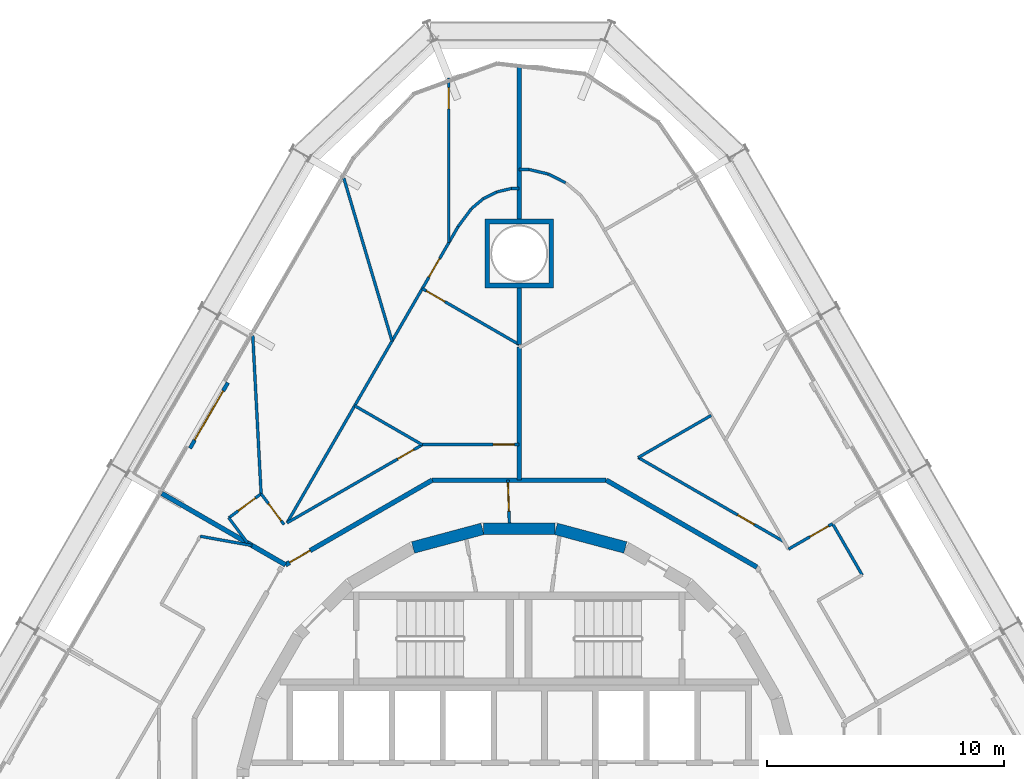
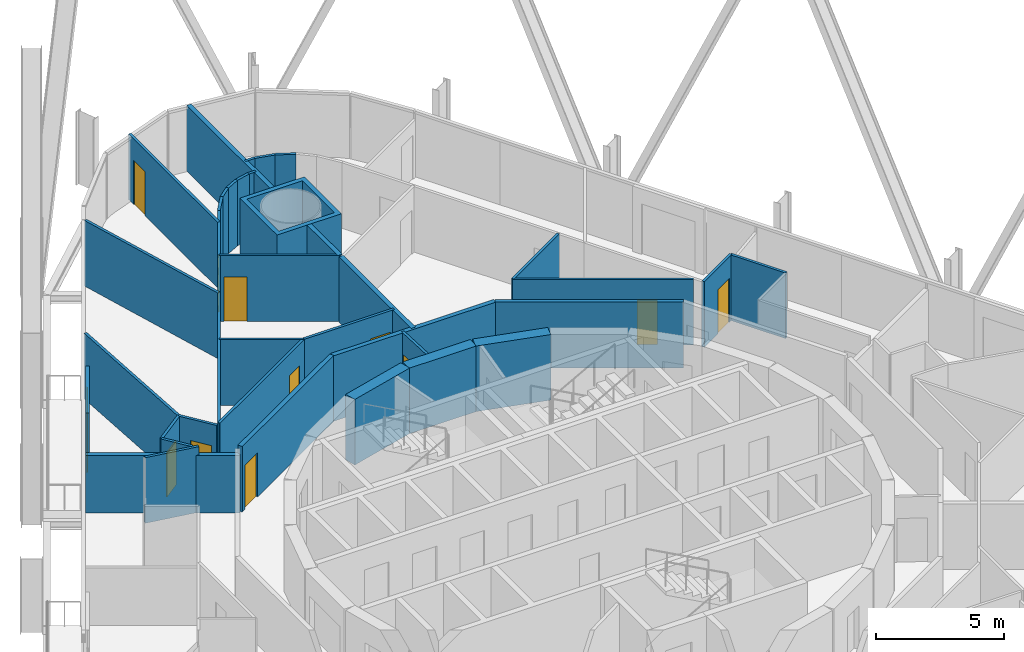
# One storey, part 20 of 22: 37 walls, 12 doors, 12 openings.
"""IFC4 building model written with IfcOpenShell, lengths in metres."""

from ifc_helpers import new_model, si_unit, direction, frame, frame_2d, origin, place, context, subcontext, project, spatial, polyline, rectangle, outline, extrude, material, layer, layer_set, type_object, element, fill, save


model = new_model("IFC4")

# Units and contexts
model_context = context("Model", 3, precision=1e-05, world=origin(), true_north=direction((0.0, 1.0)))
body_context = subcontext(model_context, "Body", "Model", "MODEL_VIEW")
ifc_project = project(units=[si_unit("LENGTHUNIT", "METRE"), si_unit("AREAUNIT", "SQUARE_METRE"), si_unit("VOLUMEUNIT", "CUBIC_METRE"), si_unit("PLANEANGLEUNIT", "RADIAN"), si_unit("MASSUNIT", "GRAM", prefix="KILO")], contexts=[model_context])

# Site, building, storey
site_placement = place(None, origin())
site = spatial("IfcSite", under=ifc_project, at=site_placement, CompositionType="ELEMENT")
building_placement = place(site_placement, origin())
building = spatial("IfcBuilding", under=site, at=building_placement, Name="Spindle Arch Residences", CompositionType="ELEMENT")
storey_placement = place(building_placement, frame((0.0, 0.0, 52.39990234375)))
storey = spatial("IfcBuildingStorey", under=building, at=storey_placement, Name="L11", CompositionType="ELEMENT", Elevation=52.39990234375)

# Walls
ifc_material_1 = material(Name="Concrete C50/60", Category="concrete")
ifc_layer_1 = layer(ifc_material_1, 0.5)
ifc_layer_set_1 = layer_set([ifc_layer_1], Name="Core outline wall 500")
wall_type_1 = type_object("IfcWallType", Name="Core outline wall 500", PredefinedType="SHEAR", material=ifc_layer_set_1)
for number, where, z_axis, x_axis, name in (
    (1, (4.479248046875, 10.858154296875, 0.0), (0.0, 0.0, 1.0), (-0.965948410781, 0.258734743916, 0.0), "Core outline wall 11"),
    (2, (1.516357421875, 11.647216796875, 0.0), (0.0, 0.0, 1.0), (-1.0, 0.0, 0.0), "Core outline wall 12"),
    (3, (-1.5498046875, 11.642822265625, 0.0), (0.0, 0.0, 1.0), (-0.965948410781, -0.258734743916, 0.0), "Core outline wall 13"),
):
    element("IfcWall", number, at=place(storey_placement, frame(where, z_axis=z_axis, x_axis=x_axis)), inside=storey, type_object=wall_type_1, Name=name, PredefinedType="SHEAR", context=body_context, shape_type="SweptSolid", body=[
        extrude(rectangle(XDim=3.03271484375, YDim=0.5, at=frame_2d((1.516357421875, 0.0))), origin(), (0.0, 0.0, 1.0), 3.1201171875),
    ])

# Wall, opening, door
ifc_material_2 = material(Name="Plasterboard on steel studs", Category="steel")
ifc_layer_2 = layer(ifc_material_2, 0.1201171875)
ifc_layer_set_2 = layer_set([ifc_layer_2], Name="Corridor division wall 120")
wall_type_2 = type_object("IfcWallType", Name="Corridor division wall 120", PredefinedType="PARTITIONING", material=ifc_layer_set_2)
wall_1_placement = place(storey_placement, frame((-0.478515625, 13.699951171875, 0.0), z_axis=(0.0, 0.0, 1.0), x_axis=(0.034919103017, -0.999390142159, 0.0)))
wall_1 = element("IfcWall", 4, at=wall_1_placement, inside=storey, type_object=wall_type_2, Name="Corridor division wall R1B0-W001", PredefinedType="PARTITIONING", context=body_context, shape_type="SweptSolid", body=[
    extrude(rectangle(XDim=1.803955078125, YDim=0.1201171875, at=frame_2d((0.90185546875, 0.0))), origin(), (0.0, 0.0, 1.0), 3.1201171875),
])
opening_1_placement = place(wall_1_placement, frame((0.110107421875, 0.0, 0.0)))
opening_1 = element("IfcOpeningElement", 5, at=opening_1_placement, cuts=wall_1, Name="Opening R1B0-CD01", PredefinedType="OPENING", context=body_context, shape_type="SweptSolid", body=[
    extrude(rectangle(XDim=1.199951171875, YDim=2.10009765625, at=frame_2d((0.60009765625, 1.050048828125))), frame((0.0, 0.070068359375, 0.0), z_axis=(0.0, -1.0, 0.0), x_axis=(1.0, 0.0, 0.0)), (0.0, 0.0, 1.0), 0.14013671875),
])
ifc_material_3 = material(Name="Steel, fire-resisting door", Category="steel")
door_type_1 = type_object("IfcDoorType", Name="Corridor division door 1200x2100", OperationType="NOTDEFINED", PredefinedType="DOOR", material=ifc_material_3)
door_1_placement = place(opening_1_placement, origin())
door_1 = element("IfcDoor", 6, at=door_1_placement, inside=storey, type_object=door_type_1, Name="Corridor division door R1B0-CD01", OperationType="DOUBLE_DOOR_SINGLE_SWING", OverallHeight=2.10009765625, OverallWidth=1.199951171875, PredefinedType="DOOR", context=body_context, shape_type="SweptSolid", body=[
    extrude(rectangle(XDim=1.199951171875, YDim=2.10009765625, at=frame_2d((0.60009765625, 1.050048828125))), frame((0.0, 0.02490234375, 0.0), z_axis=(0.0, -1.0, 0.0), x_axis=(1.0, 0.0, 0.0)), (0.0, 0.0, 1.0), 0.050048828125),
])
fill(opening_1, door_1)

# Walls
ifc_material_4 = material(Name="Calcium silicate block, plastered")
ifc_layer_3 = layer(ifc_material_4, 0.199951171875)
ifc_layer_set_3 = layer_set([ifc_layer_3], Name="Corridor wall 200")
wall_type_3 = type_object("IfcWallType", Name="Corridor wall 200", PredefinedType="STANDARD", material=ifc_layer_set_3)
for number, where, z_axis, x_axis, name in (
    (7, (10.029052734375, 10.029052734375, 0.0), (0.0, 0.0, 1.0), (-0.866024439905, 0.500001669485, 0.0), "Corridor wall R1B0-W005"),
    (8, (3.6708984375, 13.699951171875, 0.0), (0.0, 0.0, 1.0), (-1.0, 0.0, 0.0), "Corridor wall R1B0-W006"),
):
    element("IfcWall", number, at=place(storey_placement, frame(where, z_axis=z_axis, x_axis=x_axis)), inside=storey, type_object=wall_type_3, Name=name, PredefinedType="STANDARD", context=body_context, shape_type="SweptSolid", body=[
        extrude(rectangle(XDim=7.341796875, YDim=0.199951171875, at=frame_2d((3.6708984375, 0.0))), origin(), (0.0, 0.0, 1.0), 3.1201171875),
    ])

# Wall, opening, door
wall_2_placement = place(storey_placement, frame((-3.6708984375, 13.699951171875, 0.0), z_axis=(0.0, 0.0, 1.0), x_axis=(-0.866031419417, -0.499989580474, 0.0)))
wall_2 = element("IfcWall", 9, at=wall_2_placement, inside=storey, type_object=wall_type_3, Name="Corridor wall R1B0-W009", PredefinedType="STANDARD", context=body_context, shape_type="SweptSolid", body=[
    extrude(rectangle(XDim=7.146728515625, YDim=0.199951171875, at=frame_2d((3.5732421875, 0.0))), origin(), (0.0, 0.0, 1.0), 3.1201171875),
])
opening_2_placement = place(wall_2_placement, frame((5.946533203125, 0.0, 0.0)))
opening_2 = element("IfcOpeningElement", 10, at=opening_2_placement, cuts=wall_2, Name="Opening R1B0-FD02", PredefinedType="OPENING", context=body_context, shape_type="SweptSolid", body=[
    extrude(rectangle(XDim=1.0, YDim=2.10009765625, at=frame_2d((0.5, 1.050048828125))), frame((0.0, 0.10986328125, 0.0), z_axis=(0.0, -1.0, 0.0), x_axis=(1.0, 0.0, 0.0)), (0.0, 0.0, 1.0), 0.219970703125),
])
ifc_material_5 = material(Name="Timber, fire-resisting door set", Category="wood")
door_type_2 = type_object("IfcDoorType", Name="Flat entrance door 1000x2100", OperationType="NOTDEFINED", PredefinedType="DOOR", material=ifc_material_5)
door_2_placement = place(opening_2_placement, origin())
door_2 = element("IfcDoor", 11, at=door_2_placement, inside=storey, type_object=door_type_2, Name="Flat entrance door R1B0-FD02", OperationType="SINGLE_SWING_LEFT", OverallHeight=2.10009765625, OverallWidth=1.0, PredefinedType="DOOR", context=body_context, shape_type="SweptSolid", body=[
    extrude(rectangle(XDim=1.0, YDim=2.10009765625, at=frame_2d((0.5, 1.050048828125))), frame((0.0, 0.02490234375, 0.0), z_axis=(0.0, -1.0, 0.0), x_axis=(1.0, 0.0, 0.0)), (0.0, 0.0, 1.0), 0.050048828125),
])
fill(opening_2, door_2)

# Wall
ifc_material_6 = material(Name="Plasterboard on steel studs", Category="steel")
ifc_layer_4 = layer(ifc_material_6, 0.1201171875)
ifc_layer_set_4 = layer_set([ifc_layer_4], Name="Flat partition 120")
wall_type_4 = type_object("IfcWallType", Name="Flat partition 120", PredefinedType="PARTITIONING", material=ifc_layer_set_4)
wall_3_placement = place(storey_placement, frame((14.470703125, 9.697021484375, 0.0), z_axis=(0.0, 0.0, 1.0), x_axis=(-0.500004234368, 0.866022959057, 0.0)))
element("IfcWall", 12, at=wall_3_placement, inside=storey, type_object=wall_type_4, Name="Flat partition R1B0-W031", PredefinedType="PARTITIONING", context=body_context, shape_type="SweptSolid", body=[
    extrude(rectangle(XDim=2.5, YDim=0.1201171875, at=frame_2d((1.25, 0.0))), origin(), (0.0, 0.0, 1.0), 3.1201171875),
])

# Wall, opening, door
wall_4_placement = place(storey_placement, frame((13.220703125, 11.862060546875, 0.0), z_axis=(0.0, 0.0, 1.0), x_axis=(-0.866055151781, -0.499948471418, 0.0)))
wall_4 = element("IfcWall", 13, at=wall_4_placement, inside=storey, type_object=wall_type_4, Name="Flat partition R1B0-W032", PredefinedType="PARTITIONING", context=body_context, shape_type="SweptSolid", body=[
    extrude(rectangle(XDim=2.150634765625, YDim=0.1201171875, at=frame_2d((1.0751953125, 0.0))), origin(), (0.0, 0.0, 1.0), 3.1201171875),
])
opening_3_placement = place(wall_4_placement, frame((0.199951171875, 0.0, 0.0)))
opening_3 = element("IfcOpeningElement", 14, at=opening_3_placement, cuts=wall_4, Name="Opening R1B0-ID02", PredefinedType="OPENING", context=body_context, shape_type="SweptSolid", body=[
    extrude(rectangle(XDim=0.89990234375, YDim=2.10009765625, at=frame_2d((0.449951171875, 1.050048828125))), frame((0.0, 0.070068359375, 0.0), z_axis=(0.0, -1.0, 0.0), x_axis=(1.0, 0.0, 0.0)), (0.0, 0.0, 1.0), 0.14013671875),
])
ifc_material_7 = material(Name="Timber door set", Category="wood")
door_type_3 = type_object("IfcDoorType", Name="Room door 900x2100", OperationType="NOTDEFINED", PredefinedType="DOOR", material=ifc_material_7)
door_3_placement = place(opening_3_placement, origin())
door_3 = element("IfcDoor", 15, at=door_3_placement, inside=storey, type_object=door_type_3, Name="Room door R1B0-ID02", OperationType="SINGLE_SWING_RIGHT", OverallHeight=2.10009765625, OverallWidth=0.89990234375, PredefinedType="DOOR", context=body_context, shape_type="SweptSolid", body=[
    extrude(rectangle(XDim=0.89990234375, YDim=2.10009765625, at=frame_2d((0.449951171875, 1.050048828125))), frame((0.0, 0.02490234375, 0.0), z_axis=(0.0, -1.0, 0.0), x_axis=(1.0, 0.0, 0.0)), (0.0, 0.0, 1.0), 0.050048828125),
])
fill(opening_3, door_3)

wall_5_placement = place(storey_placement, frame((11.127197265625, 11.127197265625, 0.0), z_axis=(0.0, 0.0, 1.0), x_axis=(-0.86602299963, 0.500004164094, 0.0)))
wall_5 = element("IfcWall", 16, at=wall_5_placement, inside=storey, type_object=wall_type_4, Name="Flat partition R1B0-W033", PredefinedType="PARTITIONING", context=body_context, shape_type="SweptSolid", body=[
    extrude(rectangle(XDim=7.0517578125, YDim=0.1201171875, at=frame_2d((3.52587890625, 0.0))), origin(), (0.0, 0.0, 1.0), 3.1201171875),
])
opening_4_placement = place(wall_5_placement, frame((1.39990234375, 0.0, 0.0)))
opening_4 = element("IfcOpeningElement", 17, at=opening_4_placement, cuts=wall_5, Name="Opening R1B0-BD01", PredefinedType="OPENING", context=body_context, shape_type="SweptSolid", body=[
    extrude(rectangle(XDim=0.800048828125, YDim=2.10009765625, at=frame_2d((0.39990234375, 1.050048828125))), frame((0.0, 0.070068359375, 0.0), z_axis=(0.0, -1.0, 0.0), x_axis=(1.0, 0.0, 0.0)), (0.0, 0.0, 1.0), 0.14013671875),
])
ifc_material_8 = material(Name="Timber door set", Category="wood")
door_type_4 = type_object("IfcDoorType", Name="Bathroom door 800x2100", OperationType="NOTDEFINED", PredefinedType="DOOR", material=ifc_material_8)
door_4_placement = place(opening_4_placement, origin())
door_4 = element("IfcDoor", 18, at=door_4_placement, inside=storey, type_object=door_type_4, Name="Bathroom door R1B0-BD01", OperationType="SINGLE_SWING_RIGHT", OverallHeight=2.10009765625, OverallWidth=0.800048828125, PredefinedType="DOOR", context=body_context, shape_type="SweptSolid", body=[
    extrude(rectangle(XDim=0.800048828125, YDim=2.10009765625, at=frame_2d((0.39990234375, 1.050048828125))), frame((0.0, 0.02490234375, 0.0), z_axis=(0.0, -1.0, 0.0), x_axis=(1.0, 0.0, 0.0)), (0.0, 0.0, 1.0), 0.050048828125),
])
fill(opening_4, door_4)

# Walls
wall_6_placement = place(storey_placement, frame((5.020263671875, 14.653076171875, 0.0), z_axis=(0.0, 0.0, 1.0), x_axis=(0.866028940167, 0.499993874756, 0.0)))
element("IfcWall", 19, at=wall_6_placement, inside=storey, type_object=wall_type_4, Name="Flat partition R1B0-W034", PredefinedType="PARTITIONING", context=body_context, shape_type="SweptSolid", body=[
    extrude(rectangle(XDim=3.5556640625, YDim=0.1201171875, at=frame_2d((1.77783203125, 0.0))), origin(), (0.0, 0.0, 1.0), 3.1201171875),
])
wall_7_placement = place(storey_placement, frame((0.0, 26.8056640625, 0.0), z_axis=(0.0, 0.0, 1.0), x_axis=(1.0, 0.0, 0.0)))
element("IfcWall", 20, at=wall_7_placement, inside=storey, type_object=wall_type_4, Name="Flat partition R1B0-W041", PredefinedType="PARTITIONING", context=body_context, shape_type="SweptSolid", body=[
    extrude(rectangle(XDim=0.41455078125, YDim=0.1201171875, at=frame_2d((0.207275390625, 0.0))), origin(), (0.0, 0.0, 1.0), 3.1201171875),
])
wall_8_placement = place(storey_placement, frame((0.41455078125, 26.8056640625, 0.0), z_axis=(0.0, 0.0, 1.0), x_axis=(0.973048993259, -0.230598475097, 0.0)))
element("IfcWall", 21, at=wall_8_placement, inside=storey, type_object=wall_type_4, Name="Flat partition R1B0-W042", PredefinedType="PARTITIONING", context=body_context, shape_type="SweptSolid", body=[
    extrude(rectangle(XDim=0.8291015625, YDim=0.1201171875, at=frame_2d((0.41455078125, 0.0))), origin(), (0.0, 0.0, 1.0), 3.1201171875),
])
wall_9_placement = place(storey_placement, frame((1.22119140625, 26.614501953125, 0.0), z_axis=(0.0, 0.0, 1.0), x_axis=(0.893719110379, -0.448626962791, 0.0)))
element("IfcWall", 22, at=wall_9_placement, inside=storey, type_object=wall_type_4, Name="Flat partition R1B0-W043", PredefinedType="PARTITIONING", context=body_context, shape_type="SweptSolid", body=[
    extrude(rectangle(XDim=0.828857421875, YDim=0.1201171875, at=frame_2d((0.41455078125, 0.0))), origin(), (0.0, 0.0, 1.0), 3.1201171875),
])

# Wall, opening, door
wall_10_placement = place(storey_placement, frame((0.0, 15.199951171875, 0.0), z_axis=(0.0, 0.0, 1.0), x_axis=(-1.0, 0.0, 0.0)))
wall_10 = element("IfcWall", 23, at=wall_10_placement, inside=storey, type_object=wall_type_4, Name="Flat partition R1B0-W046", PredefinedType="PARTITIONING", context=body_context, shape_type="SweptSolid", body=[
    extrude(rectangle(XDim=4.07275390625, YDim=0.1201171875, at=frame_2d((2.036376953125, 0.0))), origin(), (0.0, 0.0, 1.0), 3.1201171875),
])
opening_5_placement = place(wall_10_placement, frame((0.199951171875, 0.0, 0.0)))
opening_5 = element("IfcOpeningElement", 24, at=opening_5_placement, cuts=wall_10, Name="Opening R1B0-ID07", PredefinedType="OPENING", context=body_context, shape_type="SweptSolid", body=[
    extrude(rectangle(XDim=0.89990234375, YDim=2.10009765625, at=frame_2d((0.449951171875, 1.050048828125))), frame((0.0, 0.070068359375, 0.0), z_axis=(0.0, -1.0, 0.0), x_axis=(1.0, 0.0, 0.0)), (0.0, 0.0, 1.0), 0.14013671875),
])
door_5_placement = place(opening_5_placement, origin())
door_5 = element("IfcDoor", 25, at=door_5_placement, inside=storey, type_object=door_type_3, Name="Room door R1B0-ID07", OperationType="SINGLE_SWING_RIGHT", OverallHeight=2.10009765625, OverallWidth=0.89990234375, PredefinedType="DOOR", context=body_context, shape_type="SweptSolid", body=[
    extrude(rectangle(XDim=0.89990234375, YDim=2.10009765625, at=frame_2d((0.449951171875, 1.050048828125))), frame((0.0, 0.02490234375, 0.0), z_axis=(0.0, -1.0, 0.0), x_axis=(1.0, 0.0, 0.0)), (0.0, 0.0, 1.0), 0.050048828125),
])
fill(opening_5, door_5)

wall_11_placement = place(storey_placement, frame((-9.919677734375, 11.82421875, 0.0), z_axis=(0.0, 0.0, 1.0), x_axis=(-0.597853402964, 0.801605456921, 0.0)))
wall_11 = element("IfcWall", 26, at=wall_11_placement, inside=storey, type_object=wall_type_4, Name="Flat partition R1B0-W047", PredefinedType="PARTITIONING", context=body_context, shape_type="SweptSolid", body=[
    extrude(rectangle(XDim=1.62109375, YDim=0.1201171875, at=frame_2d((0.810546875, 0.0))), origin(), (0.0, 0.0, 1.0), 3.1201171875),
])
opening_6_placement = place(wall_11_placement, frame((0.199951171875, 0.0, 0.0)))
opening_6 = element("IfcOpeningElement", 27, at=opening_6_placement, cuts=wall_11, Name="Opening R1B0-ID08", PredefinedType="OPENING", context=body_context, shape_type="SweptSolid", body=[
    extrude(rectangle(XDim=0.89990234375, YDim=2.10009765625, at=frame_2d((0.449951171875, 1.050048828125))), frame((0.0, 0.070068359375, 0.0), z_axis=(0.0, -1.0, 0.0), x_axis=(1.0, 0.0, 0.0)), (0.0, 0.0, 1.0), 0.14013671875),
])
door_6_placement = place(opening_6_placement, origin())
door_6 = element("IfcDoor", 28, at=door_6_placement, inside=storey, type_object=door_type_3, Name="Room door R1B0-ID08", OperationType="SINGLE_SWING_RIGHT", OverallHeight=2.10009765625, OverallWidth=0.89990234375, PredefinedType="DOOR", context=body_context, shape_type="SweptSolid", body=[
    extrude(rectangle(XDim=0.89990234375, YDim=2.10009765625, at=frame_2d((0.449951171875, 1.050048828125))), frame((0.0, 0.02490234375, 0.0), z_axis=(0.0, -1.0, 0.0), x_axis=(1.0, 0.0, 0.0)), (0.0, 0.0, 1.0), 0.050048828125),
])
fill(opening_6, door_6)

wall_12_placement = place(storey_placement, frame((-4.08837890625, 15.19091796875, 0.0), z_axis=(0.0, 0.0, 1.0), x_axis=(-0.866024500911, -0.50000156382, 0.0)))
wall_12 = element("IfcWall", 29, at=wall_12_placement, inside=storey, type_object=wall_type_4, Name="Flat partition R1B0-W048", PredefinedType="PARTITIONING", context=body_context, shape_type="SweptSolid", body=[
    extrude(rectangle(XDim=6.58740234375, YDim=0.1201171875, at=frame_2d((3.293701171875, 0.0))), origin(), (0.0, 0.0, 1.0), 3.1201171875),
])
opening_7_placement = place(wall_12_placement, frame((0.39990234375, 0.0, 0.0)))
opening_7 = element("IfcOpeningElement", 30, at=opening_7_placement, cuts=wall_12, Name="Opening R1B0-BD02", PredefinedType="OPENING", context=body_context, shape_type="SweptSolid", body=[
    extrude(rectangle(XDim=0.800048828125, YDim=2.10009765625, at=frame_2d((0.39990234375, 1.050048828125))), frame((0.0, 0.070068359375, 0.0), z_axis=(0.0, -1.0, 0.0), x_axis=(1.0, 0.0, 0.0)), (0.0, 0.0, 1.0), 0.14013671875),
])
door_7_placement = place(opening_7_placement, origin())
door_7 = element("IfcDoor", 31, at=door_7_placement, inside=storey, type_object=door_type_4, Name="Bathroom door R1B0-BD02", OperationType="SINGLE_SWING_LEFT", OverallHeight=2.10009765625, OverallWidth=0.800048828125, PredefinedType="DOOR", context=body_context, shape_type="SweptSolid", body=[
    extrude(rectangle(XDim=0.800048828125, YDim=2.10009765625, at=frame_2d((0.39990234375, 1.050048828125))), frame((0.0, 0.02490234375, 0.0), z_axis=(0.0, -1.0, 0.0), x_axis=(1.0, 0.0, 0.0)), (0.0, 0.0, 1.0), 0.050048828125),
])
fill(opening_7, door_7)

wall_13_placement = place(storey_placement, frame((-10.888916015625, 13.123779296875, 0.0), z_axis=(0.0, 0.0, 1.0), x_axis=(-0.801616976804, -0.597837956724, 0.0)))
wall_13 = element("IfcWall", 32, at=wall_13_placement, inside=storey, type_object=wall_type_4, Name="Flat partition R1B0-W049", PredefinedType="PARTITIONING", context=body_context, shape_type="SweptSolid", body=[
    extrude(rectangle(XDim=1.699951171875, YDim=0.1201171875, at=frame_2d((0.85009765625, 0.0))), origin(), (0.0, 0.0, 1.0), 3.1201171875),
])
opening_8_placement = place(wall_13_placement, frame((0.300048828125, 0.0, 0.0)))
opening_8 = element("IfcOpeningElement", 33, at=opening_8_placement, cuts=wall_13, Name="Opening R1B0-ID09", PredefinedType="OPENING", context=body_context, shape_type="SweptSolid", body=[
    extrude(rectangle(XDim=0.89990234375, YDim=2.10009765625, at=frame_2d((0.449951171875, 1.050048828125))), frame((0.0, 0.070068359375, 0.0), z_axis=(0.0, -1.0, 0.0), x_axis=(1.0, 0.0, 0.0)), (0.0, 0.0, 1.0), 0.14013671875),
])
door_8_placement = place(opening_8_placement, origin())
door_8 = element("IfcDoor", 34, at=door_8_placement, inside=storey, type_object=door_type_3, Name="Room door R1B0-ID09", OperationType="SINGLE_SWING_LEFT", OverallHeight=2.10009765625, OverallWidth=0.89990234375, PredefinedType="DOOR", context=body_context, shape_type="SweptSolid", body=[
    extrude(rectangle(XDim=0.89990234375, YDim=2.10009765625, at=frame_2d((0.449951171875, 1.050048828125))), frame((0.0, 0.02490234375, 0.0), z_axis=(0.0, -1.0, 0.0), x_axis=(1.0, 0.0, 0.0)), (0.0, 0.0, 1.0), 0.050048828125),
])
fill(opening_8, door_8)

# Wall
wall_14_placement = place(storey_placement, frame((-12.251708984375, 12.107421875, 0.0), z_axis=(0.0, 0.0, 1.0), x_axis=(0.597827926538, -0.801624457119, 0.0)))
element("IfcWall", 35, at=wall_14_placement, inside=storey, type_object=wall_type_4, Name="Flat partition R1B0-W050", PredefinedType="PARTITIONING", context=body_context, shape_type="SweptSolid", body=[
    extrude(rectangle(XDim=1.314208984375, YDim=0.1201171875, at=frame_2d((0.6572265625, 0.0))), origin(), (0.0, 0.0, 1.0), 3.1201171875),
])

# Wall, opening, door
wall_15_placement = place(storey_placement, frame((-9.793212890625, 11.897216796875, 0.0), z_axis=(0.0, 0.0, 1.0), x_axis=(0.499981117606, 0.866036305265, 0.0)))
wall_15 = element("IfcWall", 36, at=wall_15_placement, inside=storey, type_object=wall_type_4, Name="Flat partition R1B0-W051", PredefinedType="PARTITIONING", context=body_context, shape_type="SweptSolid", body=[
    extrude(rectangle(XDim=14.43408203125, YDim=0.1201171875, at=frame_2d((7.217041015625, 0.0))), origin(), (0.0, 0.0, 1.0), 3.1201171875),
])
opening_9_placement = place(wall_15_placement, frame((11.969970703125, 0.0, 0.0)))
opening_9 = element("IfcOpeningElement", 37, at=opening_9_placement, cuts=wall_15, Name="Opening R1B0-ID11", PredefinedType="OPENING", context=body_context, shape_type="SweptSolid", body=[
    extrude(rectangle(XDim=0.89990234375, YDim=2.10009765625, at=frame_2d((0.449951171875, 1.050048828125))), frame((0.0, 0.070068359375, 0.0), z_axis=(0.0, -1.0, 0.0), x_axis=(1.0, 0.0, 0.0)), (0.0, 0.0, 1.0), 0.14013671875),
])
door_9_placement = place(opening_9_placement, origin())
door_9 = element("IfcDoor", 38, at=door_9_placement, inside=storey, type_object=door_type_3, Name="Room door R1B0-ID11", OperationType="SINGLE_SWING_LEFT", OverallHeight=2.10009765625, OverallWidth=0.89990234375, PredefinedType="DOOR", context=body_context, shape_type="SweptSolid", body=[
    extrude(rectangle(XDim=0.89990234375, YDim=2.10009765625, at=frame_2d((0.449951171875, 1.050048828125))), frame((0.0, 0.02490234375, 0.0), z_axis=(0.0, -1.0, 0.0), x_axis=(1.0, 0.0, 0.0)), (0.0, 0.0, 1.0), 0.050048828125),
])
fill(opening_9, door_9)

# Walls
wall_16_placement = place(storey_placement, frame((-2.576416015625, 24.397705078125, 0.0), z_axis=(0.0, 0.0, 1.0), x_axis=(0.597273205282, 0.802037853379, 0.0)))
element("IfcWall", 39, at=wall_16_placement, inside=storey, type_object=wall_type_4, Name="Flat partition R1B0-W052", PredefinedType="PARTITIONING", context=body_context, shape_type="SweptSolid", body=[
    extrude(rectangle(XDim=0.94677734375, YDim=0.1201171875, at=frame_2d((0.473388671875, 0.0))), origin(), (0.0, 0.0, 1.0), 3.1201171875),
])
wall_17_placement = place(storey_placement, frame((-2.010986328125, 25.156982421875, 0.0), z_axis=(0.0, 0.0, 1.0), x_axis=(0.76603445255, 0.642799515795, 0.0)))
element("IfcWall", 40, at=wall_17_placement, inside=storey, type_object=wall_type_4, Name="Flat partition R1B0-W053", PredefinedType="PARTITIONING", context=body_context, shape_type="SweptSolid", body=[
    extrude(rectangle(XDim=0.641845703125, YDim=0.1201171875, at=frame_2d((0.32080078125, 0.0))), origin(), (0.0, 0.0, 1.0), 3.1201171875),
])
wall_18_placement = place(storey_placement, frame((-1.519287109375, 25.569580078125, 0.0), z_axis=(0.0, 0.0, 1.0), x_axis=(0.893665331281, 0.448734081239, 0.0)))
element("IfcWall", 41, at=wall_18_placement, inside=storey, type_object=wall_type_4, Name="Flat partition R1B0-W054", PredefinedType="PARTITIONING", context=body_context, shape_type="SweptSolid", body=[
    extrude(rectangle(XDim=0.64208984375, YDim=0.1201171875, at=frame_2d((0.321044921875, 0.0))), origin(), (0.0, 0.0, 1.0), 3.1201171875),
])
wall_19_placement = place(storey_placement, frame((-0.945556640625, 25.857666015625, 0.0), z_axis=(0.0, 0.0, 1.0), x_axis=(0.973066815876, 0.230523256615, 0.0)))
element("IfcWall", 42, at=wall_19_placement, inside=storey, type_object=wall_type_4, Name="Flat partition R1B0-W055", PredefinedType="PARTITIONING", context=body_context, shape_type="SweptSolid", body=[
    extrude(rectangle(XDim=0.641845703125, YDim=0.1201171875, at=frame_2d((0.32080078125, 0.0))), origin(), (0.0, 0.0, 1.0), 3.1201171875),
])
wall_20_placement = place(storey_placement, frame((-0.321044921875, 26.005615234375, 0.0), z_axis=(0.0, 0.0, 1.0), x_axis=(1.0, 0.0, 0.0)))
element("IfcWall", 43, at=wall_20_placement, inside=storey, type_object=wall_type_4, Name="Flat partition R1B0-W056", PredefinedType="PARTITIONING", context=body_context, shape_type="SweptSolid", body=[
    extrude(rectangle(XDim=0.321044921875, YDim=0.1201171875, at=frame_2d((0.16064453125, 0.0))), origin(), (0.0, 0.0, 1.0), 3.1201171875),
])

# Wall, opening, door
wall_21_placement = place(storey_placement, frame((-2.968994140625, 30.660400390625, 0.0), z_axis=(0.0, 0.0, 1.0), x_axis=(0.0, -1.0, 0.0)))
wall_21 = element("IfcWall", 44, at=wall_21_placement, inside=storey, type_object=wall_type_4, Name="Flat partition R1B0-W057", PredefinedType="PARTITIONING", context=body_context, shape_type="SweptSolid", body=[
    extrude(rectangle(XDim=6.94287109375, YDim=0.1201171875, at=frame_2d((3.471435546875, 0.0))), origin(), (0.0, 0.0, 1.0), 3.1201171875),
])
opening_10_placement = place(wall_21_placement, frame((0.39990234375, 0.0, 0.0)))
opening_10 = element("IfcOpeningElement", 45, at=opening_10_placement, cuts=wall_21, Name="Opening R1B0-ID12", PredefinedType="OPENING", context=body_context, shape_type="SweptSolid", body=[
    extrude(rectangle(XDim=0.89990234375, YDim=2.10009765625, at=frame_2d((0.449951171875, 1.050048828125))), frame((0.0, 0.070068359375, 0.0), z_axis=(0.0, -1.0, 0.0), x_axis=(1.0, 0.0, 0.0)), (0.0, 0.0, 1.0), 0.14013671875),
])
door_10_placement = place(opening_10_placement, origin())
door_10 = element("IfcDoor", 46, at=door_10_placement, inside=storey, type_object=door_type_3, Name="Room door R1B0-ID12", OperationType="SINGLE_SWING_LEFT", OverallHeight=2.10009765625, OverallWidth=0.89990234375, PredefinedType="DOOR", context=body_context, shape_type="SweptSolid", body=[
    extrude(rectangle(XDim=0.89990234375, YDim=2.10009765625, at=frame_2d((0.449951171875, 1.050048828125))), frame((0.0, 0.02490234375, 0.0), z_axis=(0.0, -1.0, 0.0), x_axis=(1.0, 0.0, 0.0)), (0.0, 0.0, 1.0), 0.050048828125),
])
fill(opening_10, door_10)

wall_22_placement = place(storey_placement, frame((-4.08837890625, 21.778564453125, 0.0), z_axis=(0.0, 0.0, 1.0), x_axis=(0.866032292145, -0.49998806882, 0.0)))
wall_22 = element("IfcWall", 47, at=wall_22_placement, inside=storey, type_object=wall_type_4, Name="Flat partition R1B0-W058", PredefinedType="PARTITIONING", context=body_context, shape_type="SweptSolid", body=[
    extrude(rectangle(XDim=4.720703125, YDim=0.1201171875, at=frame_2d((2.3603515625, 0.0))), origin(), (0.0, 0.0, 1.0), 3.1201171875),
])
opening_11_placement = place(wall_22_placement, frame((0.199951171875, 0.0, 0.0)))
opening_11 = element("IfcOpeningElement", 48, at=opening_11_placement, cuts=wall_22, Name="Opening R1B0-ID10", PredefinedType="OPENING", context=body_context, shape_type="SweptSolid", body=[
    extrude(rectangle(XDim=0.89990234375, YDim=2.10009765625, at=frame_2d((0.449951171875, 1.050048828125))), frame((0.0, 0.070068359375, 0.0), z_axis=(0.0, -1.0, 0.0), x_axis=(1.0, 0.0, 0.0)), (0.0, 0.0, 1.0), 0.14013671875),
])
door_11_placement = place(opening_11_placement, origin())
door_11 = element("IfcDoor", 49, at=door_11_placement, inside=storey, type_object=door_type_3, Name="Room door R1B0-ID10", OperationType="SINGLE_SWING_LEFT", OverallHeight=2.10009765625, OverallWidth=0.89990234375, PredefinedType="DOOR", context=body_context, shape_type="SweptSolid", body=[
    extrude(rectangle(XDim=0.89990234375, YDim=2.10009765625, at=frame_2d((0.449951171875, 1.050048828125))), frame((0.0, 0.02490234375, 0.0), z_axis=(0.0, -1.0, 0.0), x_axis=(1.0, 0.0, 0.0)), (0.0, 0.0, 1.0), 0.050048828125),
])
fill(opening_11, door_11)

# Walls
wall_23_placement = place(storey_placement, frame((-6.94091796875, 16.837890625, 0.0), z_axis=(0.0, 0.0, 1.0), x_axis=(0.866017718408, -0.500013311227, 0.0)))
element("IfcWall", 50, at=wall_23_placement, inside=storey, type_object=wall_type_4, Name="Flat partition R1B0-W059", PredefinedType="PARTITIONING", context=body_context, shape_type="SweptSolid", body=[
    extrude(rectangle(XDim=3.2939453125, YDim=0.1201171875, at=frame_2d((1.64697265625, 0.0))), origin(), (0.0, 0.0, 1.0), 3.1201171875),
])
wall_24_placement = place(storey_placement, frame((-7.39990234375, 26.44287109375, 0.0), z_axis=(0.0, 0.0, 1.0), x_axis=(0.283756762476, -0.958896292489, 0.0)))
element("IfcWall", 51, at=wall_24_placement, inside=storey, type_object=wall_type_4, Name="Flat partition R1B0-W060", PredefinedType="PARTITIONING", context=body_context, shape_type="SweptSolid", body=[
    extrude(rectangle(XDim=7.17041015625, YDim=0.1201171875, at=frame_2d((3.585205078125, 0.0))), origin(), (0.0, 0.0, 1.0), 3.1201171875),
])
wall_25_placement = place(storey_placement, frame((-11.239990234375, 19.79150390625, 0.0), z_axis=(0.0, 0.0, 1.0), x_axis=(0.052579943632, -0.998616718029, 0.0)))
element("IfcWall", 52, at=wall_25_placement, inside=storey, type_object=wall_type_4, Name="Flat partition R1B0-W061", PredefinedType="PARTITIONING", context=body_context, shape_type="SweptSolid", body=[
    extrude(rectangle(XDim=6.677001953125, YDim=0.1201171875, at=frame_2d((3.33837890625, 0.0))), origin(), (0.0, 0.0, 1.0), 3.1201171875),
])
wall_26_placement = place(storey_placement, frame((-11.26953125, 10.9404296875, 0.0), z_axis=(0.0, 0.0, 1.0), x_axis=(-0.984382718707, 0.176041651637, 0.0)))
element("IfcWall", 53, at=wall_26_placement, inside=storey, type_object=wall_type_4, Name="Flat partition R1B0-W062", PredefinedType="PARTITIONING", context=body_context, shape_type="SweptSolid", body=[
    extrude(rectangle(XDim=2.2216796875, YDim=0.1201171875, at=frame_2d((1.11083984375, 0.0))), origin(), (0.0, 0.0, 1.0), 3.1201171875),
])
ifc_material_9 = material(Name="Calcium silicate block, plastered")
ifc_layer_5 = layer(ifc_material_9, 0.199951171875)
ifc_layer_set_5 = layer_set([ifc_layer_5], Name="Flat party wall 200")
wall_type_5 = type_object("IfcWallType", Name="Flat party wall 200", PredefinedType="STANDARD", material=ifc_layer_set_5)
wall_27_placement = place(storey_placement, frame((0.0, 19.326416015625, 0.0), z_axis=(0.0, 0.0, 1.0), x_axis=(0.0, -1.0, 0.0)))
element("IfcWall", 54, at=wall_27_placement, inside=storey, type_object=wall_type_5, Name="Flat party wall R1B0-W017", PredefinedType="STANDARD", context=body_context, shape_type="SweptSolid", body=[
    extrude(rectangle(XDim=5.62646484375, YDim=0.199951171875, at=frame_2d((2.813232421875, 0.0))), origin(), (0.0, 0.0, 1.0), 3.1201171875),
])
wall_28_placement = place(storey_placement, frame((0.0, 31.205810546875, 0.0), z_axis=(0.0, 0.0, 1.0), x_axis=(0.0, -1.0, 0.0)))
element("IfcWall", 55, at=wall_28_placement, inside=storey, type_object=wall_type_5, Name="Flat party wall R1B0-W019", PredefinedType="STANDARD", context=body_context, shape_type="SweptSolid", body=[
    extrude(rectangle(XDim=6.49609375, YDim=0.199951171875, at=frame_2d((3.248046875, 0.0))), origin(), (0.0, 0.0, 1.0), 3.1201171875),
])
wall_29_placement = place(storey_placement, frame((0.0, 21.809814453125, 0.0), z_axis=(0.0, 0.0, 1.0), x_axis=(0.0, -1.0, 0.0)))
element("IfcWall", 56, at=wall_29_placement, inside=storey, type_object=wall_type_5, Name="Flat party wall R1B0-W020", PredefinedType="STANDARD", context=body_context, shape_type="SweptSolid", body=[
    extrude(rectangle(XDim=2.3916015625, YDim=0.199951171875, at=frame_2d((1.19580078125, 0.0))), origin(), (0.0, 0.0, 1.0), 3.1201171875),
])
ifc_material_10 = material(Name="Calcium silicate block, plastered")
ifc_layer_6 = layer(ifc_material_10, 0.199951171875)
ifc_layer_set_6 = layer_set([ifc_layer_6], Name="Flat party wall 200 under beam 2730")
wall_type_6 = type_object("IfcWallType", Name="Flat party wall 200 under beam 2730", PredefinedType="STANDARD", material=ifc_layer_set_6)
wall_30_placement = place(storey_placement, frame((-15.080078125, 13.140380859375, 0.0), z_axis=(0.0, 0.0, 1.0), x_axis=(0.86603112331, -0.49999009336, 0.0)))
element("IfcWall", 57, at=wall_30_placement, inside=storey, type_object=wall_type_6, Name="Flat party wall R1B0-W021", PredefinedType="STANDARD", context=body_context, shape_type="SweptSolid", body=[
    extrude(rectangle(XDim=6.02734375, YDim=0.199951171875, at=frame_2d((3.013671875, 0.0))), origin(), (0.0, 0.0, 1.0), 2.72998046875),
])

# Wall, opening, door
ifc_material_11 = material(Name="Non-combustible mineral wool insulated aluminium faced external wall (K0)", Category="aluminium")
ifc_layer_7 = layer(ifc_material_11, 0.159912109375)
ifc_layer_set_7 = layer_set([ifc_layer_7], Name="Insulated external wall panel 160")
wall_type_7 = type_object("IfcWallType", Name="Insulated external wall panel 160", PredefinedType="STANDARD", material=ifc_layer_set_7)
wall_31_placement = place(storey_placement, frame((-12.290771484375, 17.811767578125, 0.0), z_axis=(0.0, 0.0, 1.0), x_axis=(-0.499971222258, -0.866042017984, 0.0)))
wall_31 = element("IfcWall", 58, at=wall_31_placement, inside=storey, type_object=wall_type_7, Name="External wall L11 bay 15", PredefinedType="STANDARD", context=body_context, shape_type="SweptSolid", body=[
    extrude(rectangle(XDim=3.199951171875, YDim=0.159912109375, at=frame_2d((1.60009765625, 0.0))), origin(), (0.0, 0.0, 1.0), 3.1201171875),
])
opening_12_placement = place(wall_31_placement, frame((0.39990234375, 0.0, 0.0)))
opening_12 = element("IfcOpeningElement", 59, at=opening_12_placement, cuts=wall_31, Name="Opening BD15", PredefinedType="OPENING", context=body_context, shape_type="SweptSolid", body=[
    extrude(rectangle(XDim=2.39990234375, YDim=2.39990234375, at=frame_2d((1.199951171875, 1.199951171875))), frame((0.0, 0.08984375, 0.0), z_axis=(0.0, -1.0, 0.0), x_axis=(1.0, 0.0, 0.0)), (0.0, 0.0, 1.0), 0.179931640625),
])
ifc_material_12 = material(Name="Bronze aluminium frame, tinted double glazing", Category="aluminium")
door_type_5 = type_object("IfcDoorType", Name="Sliding glazed balcony door 2400x2400", OperationType="DOUBLE_DOOR_SLIDING", PredefinedType="DOOR", material=ifc_material_12)
door_12_placement = place(opening_12_placement, origin())
door_12 = element("IfcDoor", 60, at=door_12_placement, inside=storey, type_object=door_type_5, Name="Balcony door BD15", OperationType="DOUBLE_DOOR_SLIDING", OverallHeight=2.39990234375, OverallWidth=2.39990234375, PredefinedType="DOOR", context=body_context, shape_type="SweptSolid", body=[
    extrude(rectangle(XDim=2.39990234375, YDim=2.39990234375, at=frame_2d((1.199951171875, 1.199951171875))), frame((0.0, 0.02490234375, 0.0), z_axis=(0.0, -1.0, 0.0), x_axis=(1.0, 0.0, 0.0)), (0.0, 0.0, 1.0), 0.050048828125),
])
fill(opening_12, door_12)

# Wall
ifc_material_13 = material(Name="Calcium silicate block, plastered")
ifc_layer_8 = layer(ifc_material_13, 0.199951171875)
ifc_layer_set_8 = layer_set([ifc_layer_8], Name="Mega-column casing wall 200")
wall_type_8 = type_object("IfcWallType", Name="Mega-column casing wall 200", PredefinedType="STANDARD", material=ifc_layer_set_8)
wall_32_placement = place(storey_placement, origin())
element("IfcWall", 61, at=wall_32_placement, inside=storey, type_object=wall_type_8, Name="Mega-column casing wall R1B0-WC01", PredefinedType="STANDARD", context=body_context, shape_type="SweptSolid", body=[
    extrude(outline(polyline([(1.449951171875, 24.709716796875), (1.449951171875, 21.809814453125), (-1.449951171875, 21.809814453125), (-1.449951171875, 24.709716796875), (1.449951171875, 24.709716796875)]), holes=[polyline([(-1.25, 22.009765625), (1.25, 22.009765625), (1.25, 24.509765625), (-1.25, 24.509765625), (-1.25, 22.009765625)])]), origin(), (0.0, 0.0, 1.0), 3.1201171875),
])

save(model, "model.ifc")
